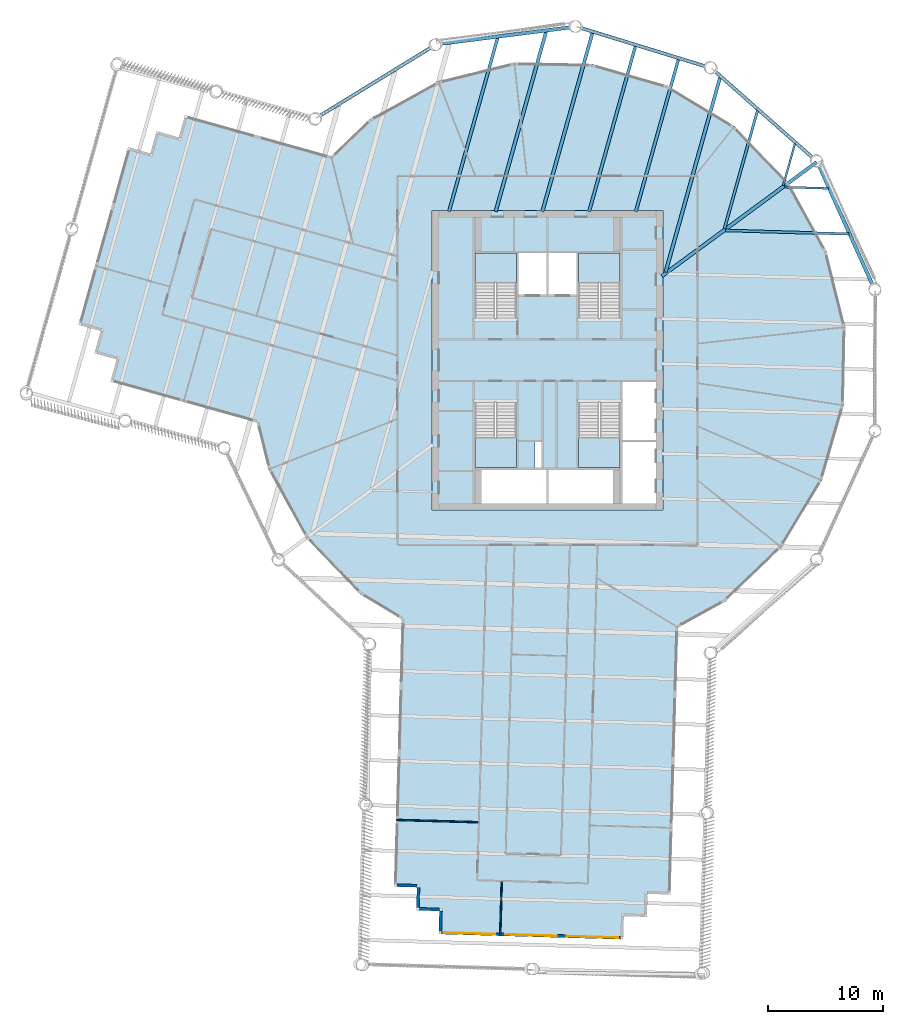
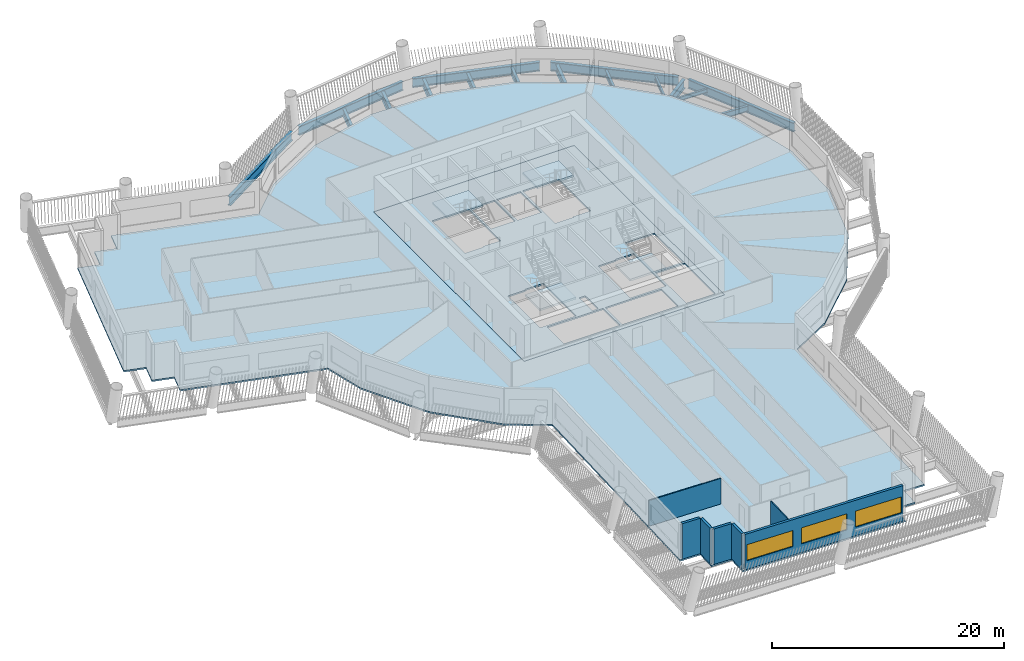
# One storey, part 2 of 15: 16 beams, 7 walls, 6 slabs, 3 windows, 3 openings, 4 elements without a shape of their own.
"""IFC4 building model written with IfcOpenShell, lengths in metres."""

from ifc_helpers import new_model, si_unit, direction, frame, frame_2d, origin, origin_2d, place, context, subcontext, project, spatial, polyline, rectangle, i_section, outline, extrude, material, layer, layer_set, material_profile, profile_set, type_object, element, fill, aggregate, save


model = new_model("IFC4")

# Units and contexts
model_context = context("Model", 3, precision=1e-05, world=origin(), true_north=direction((0.0, 1.0)))
body_context = subcontext(model_context, "Body", "Model", "MODEL_VIEW")
ifc_project = project(units=[si_unit("LENGTHUNIT", "METRE"), si_unit("AREAUNIT", "SQUARE_METRE"), si_unit("VOLUMEUNIT", "CUBIC_METRE"), si_unit("PLANEANGLEUNIT", "RADIAN"), si_unit("MASSUNIT", "GRAM", prefix="KILO")], contexts=[model_context])

# Site, building, storey
site_placement = place(None, origin())
site = spatial("IfcSite", under=ifc_project, at=site_placement, CompositionType="ELEMENT")
building_placement = place(site_placement, origin())
building = spatial("IfcBuilding", under=site, at=building_placement, Name="Tarsis Ring Headquarters", CompositionType="ELEMENT")
storey_placement = place(building_placement, frame((0.0, 0.0, 219.89990234375)))
storey = spatial("IfcBuildingStorey", under=building, at=storey_placement, Name="L51", CompositionType="ELEMENT", Elevation=219.89990234375)

# Beams
ifc_material_1 = material(Name="Structural steel S355", Category="steel")
ifc_material_profile_1 = material_profile(ifc_material_1, i_section(OverallWidth=0.177734375, OverallDepth=0.406494140625, WebThickness=0.0078125, FlangeThickness=0.0126953125, at=origin_2d()), Name="W16x40")
ifc_profile_set_1 = profile_set([ifc_material_profile_1], Name="Structural steel S355")
beam_type_1 = type_object("IfcBeamType", Name="FB Floor beam W16x40", PredefinedType="JOIST", material=ifc_profile_set_1)
for number, where, z_axis, x_axis, name in (
    (1, (20.556884765625, 15.017822265625, -0.363037109375), (0.999590515002, -0.02861472206, 0.0), (0.02861472206, 0.999590515002, 0.0), "Floor beam FB1"),
    (2, (21.47216796875, 18.83251953125, -0.363037109375), (-0.269598987848, -0.962972681726, 0.0), (0.962972681726, -0.269598987848, 0.0), "Floor beam FB1"),
):
    element("IfcBeam", number, at=place(storey_placement, frame(where, z_axis=z_axis, x_axis=x_axis)), inside=storey, type_object=beam_type_1, Name=name, PredefinedType="JOIST", context=body_context, shape_type="SweptSolid", body=[
        extrude(i_section(OverallWidth=0.177734375, OverallDepth=0.406494140625, WebThickness=0.0078125, FlangeThickness=0.0126953125, at=origin_2d()), origin(), (0.0, 0.0, 1.0), 3.80517578125),
    ])
ifc_material_profile_2 = material_profile(ifc_material_1, i_section(OverallWidth=0.228271484375, OverallDepth=0.607177734375, WebThickness=0.01123046875, FlangeThickness=0.017333984375, at=origin_2d()), Name="W24x76")
ifc_profile_set_2 = profile_set([ifc_material_profile_2], Name="Structural steel S355")
beam_type_2 = type_object("IfcBeamType", Name="FB Floor beam W24x76", PredefinedType="JOIST", material=ifc_profile_set_2)
for number, where, z_axis, x_axis, name in (
    (3, (15.45556640625, 11.26220703125, -0.46337890625), (0.999590724802, -0.02860739222, 0.0), (0.02860739222, 0.999590724802, 0.0), "Floor beam FB4"),
    (4, (18.225341796875, 21.701904296875, -0.46337890625), (-0.269574836137, -0.962979443042, 0.0), (0.962979443042, -0.269574836137, 0.0), "Floor beam FB4"),
):
    element("IfcBeam", number, at=place(storey_placement, frame(where, z_axis=z_axis, x_axis=x_axis)), inside=storey, type_object=beam_type_2, Name=name, PredefinedType="JOIST", context=body_context, shape_type="SweptSolid", body=[
        extrude(i_section(OverallWidth=0.228271484375, OverallDepth=0.607177734375, WebThickness=0.01123046875, FlangeThickness=0.017333984375, at=origin_2d()), origin(), (0.0, 0.0, 1.0), 10.684814453125),
    ])
ifc_material_profile_3 = material_profile(ifc_material_1, i_section(OverallWidth=0.2666015625, OverallDepth=0.7568359375, WebThickness=0.013916015625, FlangeThickness=0.019287109375, at=origin_2d()), Name="W30x108")
ifc_profile_set_3 = profile_set([ifc_material_profile_3], Name="Structural steel S355")
beam_type_3 = type_object("IfcBeamType", Name="FB Floor beam W30x108", PredefinedType="JOIST", material=ifc_profile_set_3)
beam_1_placement = place(storey_placement, frame((11.371337890625, 26.151611328125, -0.538330078125), z_axis=(-0.269602937232, -0.962971576027, 0.0), x_axis=(0.962971576027, -0.269602937232, 0.0)))
element("IfcBeam", 5, at=beam_1_placement, inside=storey, type_object=beam_type_3, Name="Floor beam FB6", PredefinedType="JOIST", context=body_context, shape_type="SweptSolid", body=[
    extrude(i_section(OverallWidth=0.2666015625, OverallDepth=0.7568359375, WebThickness=0.013916015625, FlangeThickness=0.019287109375, at=origin_2d()), origin(), (0.0, 0.0, 1.0), 13.75732421875),
])
beam_2_placement = place(storey_placement, frame((7.64306640625, 27.300537109375, -0.538330078125), z_axis=(-0.269594793667, -0.962973855942, 0.0), x_axis=(0.962973855942, -0.269594793667, 0.0)))
element("IfcBeam", 6, at=beam_2_placement, inside=storey, type_object=beam_type_3, Name="Floor beam FB6", PredefinedType="JOIST", context=body_context, shape_type="SweptSolid", body=[
    extrude(i_section(OverallWidth=0.2666015625, OverallDepth=0.7568359375, WebThickness=0.013916015625, FlangeThickness=0.019287109375, at=origin_2d()), origin(), (0.0, 0.0, 1.0), 14.9501953125),
])
beam_3_placement = place(storey_placement, frame((-4.30712890625, 28.013671875, -0.538330078125), z_axis=(-0.26959818322, -0.962972906994, 0.0), x_axis=(0.962972906994, -0.26959818322, 0.0)))
element("IfcBeam", 7, at=beam_3_placement, inside=storey, type_object=beam_type_3, Name="Floor beam FB6", PredefinedType="JOIST", context=body_context, shape_type="SweptSolid", body=[
    extrude(i_section(OverallWidth=0.2666015625, OverallDepth=0.7568359375, WebThickness=0.013916015625, FlangeThickness=0.019287109375, at=origin_2d()), origin(), (0.0, 0.0, 1.0), 15.69091796875),
])
ifc_material_profile_4 = material_profile(ifc_material_1, i_section(OverallWidth=0.2919921875, OverallDepth=0.835693359375, WebThickness=0.013916015625, FlangeThickness=0.018798828125, at=origin_2d()), Name="W33x118")
ifc_profile_set_4 = profile_set([ifc_material_profile_4], Name="Structural steel S355")
beam_type_4 = type_object("IfcBeamType", Name="FB Floor beam W33x118", PredefinedType="JOIST", material=ifc_profile_set_4)
beam_4_placement = place(storey_placement, frame((14.978759765625, 24.571044921875, -0.57763671875), z_axis=(-0.269589710269, -0.962975279079, 0.0), x_axis=(0.962975279079, -0.269589710269, 0.0)))
element("IfcBeam", 8, at=beam_4_placement, inside=storey, type_object=beam_type_4, Name="Floor beam FB7", PredefinedType="JOIST", context=body_context, shape_type="SweptSolid", body=[
    extrude(i_section(OverallWidth=0.2919921875, OverallDepth=0.835693359375, WebThickness=0.013916015625, FlangeThickness=0.018798828125, at=origin_2d()), origin(), (0.0, 0.0, 1.0), 17.564208984375),
])
beam_5_placement = place(storey_placement, frame((3.91455078125, 28.44921875, -0.57763671875), z_axis=(-0.269591779944, -0.962974699661, 0.0), x_axis=(0.962974699661, -0.269591779944, 0.0)))
element("IfcBeam", 9, at=beam_5_placement, inside=storey, type_object=beam_type_4, Name="Floor beam FB7", PredefinedType="JOIST", context=body_context, shape_type="SweptSolid", body=[
    extrude(i_section(OverallWidth=0.2919921875, OverallDepth=0.835693359375, WebThickness=0.013916015625, FlangeThickness=0.018798828125, at=origin_2d()), origin(), (0.0, 0.0, 1.0), 16.14306640625),
])
beam_6_placement = place(storey_placement, frame((-0.1083984375, 28.545166015625, -0.57763671875), z_axis=(-0.269591456408, -0.962974790237, 0.0), x_axis=(0.962974790237, -0.269591456408, 0.0)))
element("IfcBeam", 10, at=beam_6_placement, inside=storey, type_object=beam_type_4, Name="Floor beam FB7", PredefinedType="JOIST", context=body_context, shape_type="SweptSolid", body=[
    extrude(i_section(OverallWidth=0.2919921875, OverallDepth=0.835693359375, WebThickness=0.013916015625, FlangeThickness=0.018798828125, at=origin_2d()), origin(), (0.0, 0.0, 1.0), 16.24267578125),
])
ifc_material_profile_5 = material_profile(ifc_material_1, i_section(OverallWidth=0.309814453125, OverallDepth=0.949951171875, WebThickness=0.0244140625, FlangeThickness=0.0439453125, at=origin_2d()), Name="W36x256")
ifc_profile_set_5 = profile_set([ifc_material_profile_5], Name="Structural steel S355")
beam_type_5 = type_object("IfcBeamType", Name="FB Floor beam W36x256 spine", PredefinedType="BEAM", material=ifc_profile_set_5)
beam_7_placement = place(storey_placement, frame((23.345947265625, 17.18701171875, -0.635009765625), z_axis=(-0.805304938003, -0.592860824164, 0.0), x_axis=(0.592860824164, -0.805304938003, 0.0)))
element("IfcBeam", 11, at=beam_7_placement, inside=storey, type_object=beam_type_5, Name="Floor beam SB11", PredefinedType="BEAM", context=body_context, shape_type="SweptSolid", body=[
    extrude(i_section(OverallWidth=0.309814453125, OverallDepth=0.949951171875, WebThickness=0.0244140625, FlangeThickness=0.0439453125, at=origin_2d()), origin(), (0.0, 0.0, 1.0), 16.672607421875),
])
beam_type_6 = type_object("IfcBeamType", Name="XG Ring girder W36x256", PredefinedType="BEAM", material=ifc_profile_set_5)
for number, where, z_axis, x_axis, name in (
    (12, (28.215087890625, 6.486083984375, -0.474853515625), (-0.409743202177, 0.912200914421, 0.0), (-0.912200914421, -0.409743202177, 0.0), "Ring girder XG2"),
    (13, (23.033203125, 17.53955078125, -0.474853515625), (-0.749310617191, 0.662218694213, 0.0), (-0.662218694213, -0.749310617191, 0.0), "Ring girder XG2"),
):
    element("IfcBeam", number, at=place(storey_placement, frame(where, z_axis=z_axis, x_axis=x_axis)), inside=storey, type_object=beam_type_6, Name=name, PredefinedType="BEAM", context=body_context, shape_type="SweptSolid", body=[
        extrude(i_section(OverallWidth=0.309814453125, OverallDepth=0.949951171875, WebThickness=0.0244140625, FlangeThickness=0.0439453125, at=origin_2d()), origin(), (0.0, 0.0, 1.0), 11.288818359375),
    ])
for number, where, z_axis, x_axis, name in (
    (14, (13.755859375, 25.474365234375, -0.474853515625), (-0.955659220502, 0.294474878844, 0.0), (-0.294474878844, -0.955659220502, 0.0), "Ring girder XG2"),
    (15, (2.03271484375, 28.879638671875, -0.474853515625), (-0.992079652266, -0.125610364064, 0.0), (0.125610364064, -0.992079652266, 0.0), "Ring girder XG2"),
):
    element("IfcBeam", number, at=place(storey_placement, frame(where, z_axis=z_axis, x_axis=x_axis)), inside=storey, type_object=beam_type_6, Name=name, PredefinedType="BEAM", context=body_context, shape_type="SweptSolid", body=[
        extrude(i_section(OverallWidth=0.309814453125, OverallDepth=0.949951171875, WebThickness=0.0244140625, FlangeThickness=0.0439453125, at=origin_2d()), origin(), (0.0, 0.0, 1.0), 11.28857421875),
    ])
beam_8_placement = place(storey_placement, frame((-10.0517578125, 27.150146484375, -0.474853515625), z_axis=(-0.852109467494, -0.523363597709, 0.0), x_axis=(0.523363597709, -0.852109467494, 0.0)))
element("IfcBeam", 16, at=beam_8_placement, inside=storey, type_object=beam_type_6, Name="Ring girder XG2", PredefinedType="BEAM", context=body_context, shape_type="SweptSolid", body=[
    extrude(i_section(OverallWidth=0.309814453125, OverallDepth=0.949951171875, WebThickness=0.0244140625, FlangeThickness=0.0439453125, at=origin_2d()), origin(), (0.0, 0.0, 1.0), 11.288818359375),
])

# Slab
ifc_material_2 = material(Name="Concrete C40/50", Category="concrete")
ifc_layer_1 = layer(ifc_material_2, 0.159912109375)
ifc_layer_set_1 = layer_set([ifc_layer_1], Name="Core floor slab 160 C40/50")
slab_type_1 = type_object("IfcSlabType", Name="Core floor slab 160 C40/50", PredefinedType="FLOOR", material=ifc_layer_set_1)
slab_1_placement = place(storey_placement, frame((0.0, 0.0, -0.159912109375)))
element("IfcSlab", 17, at=slab_1_placement, inside=storey, type_object=slab_type_1, Name="L51 core floor slab", PredefinedType="FLOOR", context=body_context, shape_type="SweptSolid", body=[
    extrude(outline(polyline([(-10.0, -13.0), (10.0, -13.0), (10.0, 13.0), (-10.0, 13.0), (-10.0, -13.0)]), holes=[polyline([(-2.5, 5.699951171875), (-0.10009765625, 5.699951171875), (-0.10009765625, 9.300048828125), (-2.5, 9.300048828125), (-2.5, 5.699951171875)]), polyline([(0.10009765625, 5.699951171875), (2.5, 5.699951171875), (2.5, 9.300048828125), (0.10009765625, 9.300048828125), (0.10009765625, 5.699951171875)]), polyline([(6.5, -12.39990234375), (9.39990234375, -12.39990234375), (9.39990234375, -7.10009765625), (6.5, -7.10009765625), (6.5, -12.39990234375)]), polyline([(6.5, -6.89990234375), (9.39990234375, -6.89990234375), (9.39990234375, -1.89990234375), (6.5, -1.89990234375), (6.5, -6.89990234375)]), polyline([(-5.699951171875, -12.39990234375), (-0.10009765625, -12.39990234375), (-0.10009765625, -9.5), (-5.699951171875, -9.5), (-5.699951171875, -12.39990234375)]), polyline([(0.10009765625, -12.39990234375), (5.699951171875, -12.39990234375), (5.699951171875, -9.5), (0.10009765625, -9.5), (0.10009765625, -12.39990234375)]), polyline([(-1.10009765625, -9.300048828125), (-0.5, -9.300048828125), (-0.5, -7.10009765625), (-1.10009765625, -7.10009765625), (-1.10009765625, -9.300048828125)]), polyline([(-2.699951171875, 3.760009765625), (-2.699951171875, 9.300048828125), (-6.300048828125, 9.300048828125), (-6.300048828125, 3.659912109375), (-4.4599609375, 3.659912109375), (-4.4599609375, 3.760009765625), (-2.699951171875, 3.760009765625)]), polyline([(6.300048828125, 3.760009765625), (6.300048828125, 9.300048828125), (2.699951171875, 9.300048828125), (2.699951171875, 3.659912109375), (4.5400390625, 3.659912109375), (4.5400390625, 3.760009765625), (6.300048828125, 3.760009765625)]), polyline([(-6.300048828125, -3.760009765625), (-6.300048828125, -9.300048828125), (-2.699951171875, -9.300048828125), (-2.699951171875, -3.659912109375), (-4.5400390625, -3.659912109375), (-4.5400390625, -3.760009765625), (-6.300048828125, -3.760009765625)]), polyline([(2.699951171875, -3.760009765625), (2.699951171875, -9.300048828125), (6.300048828125, -9.300048828125), (6.300048828125, -3.659912109375), (4.4599609375, -3.659912109375), (4.4599609375, -3.760009765625), (2.699951171875, -3.760009765625)])]), origin(), (0.0, 0.0, 1.0), 0.159912109375),
])

# Stair, slab
ifc_material_3 = material(Name="Core stair 1760")
stair_type = type_object("IfcStairType", Name="Core stair 1760", PredefinedType="HALF_TURN_STAIR", material=ifc_material_3)
stair_1_placement = place(storey_placement, origin())
stair_1 = element("IfcStair", 18, at=stair_1_placement, inside=storey, type_object=stair_type, Name="L51 Firefighting stair", PredefinedType="HALF_TURN_STAIR")
ifc_layer_2 = layer(ifc_material_2, 0.199951171875)
ifc_layer_set_2 = layer_set([ifc_layer_2], Name="Core stair landing 200")
slab_type_2 = type_object("IfcSlabType", Name="Core stair landing 200", PredefinedType="LANDING", material=ifc_layer_set_2)
slab_2_placement = place(storey_placement, frame((0.0, 0.0, 1.75)))
slab_2 = element("IfcSlab", 19, at=slab_2_placement, type_object=slab_type_2, Name="Stair ST1 landing 1", PredefinedType="LANDING", context=body_context, shape_type="SweptSolid", body=[
    extrude(outline(polyline([(-2.699951171875, 6.739990234375), (-2.699951171875, 9.300048828125), (-6.300048828125, 9.300048828125), (-6.300048828125, 6.739990234375), (-2.699951171875, 6.739990234375)])), origin(), (0.0, 0.0, 1.0), 0.2001953125),
])
aggregate(stair_1, [slab_2])

stair_2_placement = place(storey_placement, origin())
stair_2 = element("IfcStair", 20, at=stair_2_placement, inside=storey, type_object=stair_type, Name="L51 Exit stair B", PredefinedType="HALF_TURN_STAIR")
slab_3_placement = place(storey_placement, frame((0.0, 0.0, 1.75)))
slab_3 = element("IfcSlab", 21, at=slab_3_placement, type_object=slab_type_2, Name="Stair ST2 landing 1", PredefinedType="LANDING", context=body_context, shape_type="SweptSolid", body=[
    extrude(outline(polyline([(6.300048828125, 6.739990234375), (6.300048828125, 9.300048828125), (2.699951171875, 9.300048828125), (2.699951171875, 6.739990234375), (6.300048828125, 6.739990234375)])), origin(), (0.0, 0.0, 1.0), 0.2001953125),
])
aggregate(stair_2, [slab_3])

stair_3_placement = place(storey_placement, origin())
stair_3 = element("IfcStair", 22, at=stair_3_placement, inside=storey, type_object=stair_type, Name="L51 Exit stair C", PredefinedType="HALF_TURN_STAIR")
slab_4_placement = place(storey_placement, frame((0.0, 0.0, 1.75)))
slab_4 = element("IfcSlab", 23, at=slab_4_placement, type_object=slab_type_2, Name="Stair ST3 landing 1", PredefinedType="LANDING", context=body_context, shape_type="SweptSolid", body=[
    extrude(outline(polyline([(-6.300048828125, -6.739990234375), (-6.300048828125, -9.300048828125), (-2.699951171875, -9.300048828125), (-2.699951171875, -6.739990234375), (-6.300048828125, -6.739990234375)])), origin(), (0.0, 0.0, 1.0), 0.2001953125),
])
aggregate(stair_3, [slab_4])

stair_4_placement = place(storey_placement, origin())
stair_4 = element("IfcStair", 24, at=stair_4_placement, inside=storey, type_object=stair_type, Name="L51 Exit stair D", PredefinedType="HALF_TURN_STAIR")
slab_5_placement = place(storey_placement, frame((0.0, 0.0, 1.75)))
slab_5 = element("IfcSlab", 25, at=slab_5_placement, type_object=slab_type_2, Name="Stair ST4 landing 1", PredefinedType="LANDING", context=body_context, shape_type="SweptSolid", body=[
    extrude(outline(polyline([(2.699951171875, -6.739990234375), (2.699951171875, -9.300048828125), (6.300048828125, -9.300048828125), (6.300048828125, -6.739990234375), (2.699951171875, -6.739990234375)])), origin(), (0.0, 0.0, 1.0), 0.2001953125),
])
aggregate(stair_4, [slab_5])

# Slab
ifc_material_4 = material(Name="Concrete C35/45", Category="concrete")
ifc_layer_3 = layer(ifc_material_4, 0.159912109375)
ifc_layer_set_3 = layer_set([ifc_layer_3], Name="FS Composite floor slab 160")
slab_type_3 = type_object("IfcSlabType", Name="FS Composite floor slab 160", PredefinedType="FLOOR", material=ifc_layer_set_3)
slab_6_placement = place(storey_placement, frame((0.0, 0.0, -0.159912109375)))
element("IfcSlab", 26, at=slab_6_placement, inside=storey, type_object=slab_type_3, Name="Floor slab L51", PredefinedType="FLOOR", context=body_context, shape_type="SweptSolid", body=[
    extrude(outline(polyline([(-25.2177734375, -5.4013671875), (-24.214111328125, -9.469970703125), (-20.93798828125, -15.414306640625), (-16.235107421875, -20.30810546875), (-12.6484375, -22.475341796875), (-13.3115234375, -45.6376953125), (-11.3125, -45.695068359375), (-11.36962890625, -47.694091796875), (-9.370361328125, -47.75146484375), (-9.427734375, -49.75048828125), (6.565673828125, -50.20849609375), (6.623046875, -48.209228515625), (8.6220703125, -48.2666015625), (8.679443359375, -46.267333984375), (10.678466796875, -46.32470703125), (11.341064453125, -23.182861328125), (15.414306640625, -20.93798828125), (20.30810546875, -16.235107421875), (23.818115234375, -10.42578125), (25.704833984375, -3.90576171875), (25.840087890625, 2.880126953125), (24.214111328125, 9.469970703125), (20.93798828125, 15.414306640625), (16.235107421875, 20.30810546875), (10.42578125, 23.818115234375), (3.90576171875, 25.704833984375), (-2.880126953125, 25.840087890625), (-9.469970703125, 24.214111328125), (-15.414306640625, 20.93798828125), (-18.767578125, 17.715576171875), (-31.431884765625, 21.260986328125), (-31.97119140625, 19.3349609375), (-33.897216796875, 19.874267578125), (-34.436279296875, 17.9482421875), (-36.3623046875, 18.487548828125), (-40.67578125, 3.079833984375), (-38.749755859375, 2.540771484375), (-39.2890625, 0.61474609375), (-37.363037109375, 0.07568359375), (-37.902099609375, -1.850341796875), (-25.2177734375, -5.4013671875)]), holes=[polyline([(-10.0, -13.0), (-10.0, 13.0), (10.0, 13.0), (10.0, -13.0), (-10.0, -13.0)])]), origin(), (0.0, 0.0, 1.0), 0.159912109375),
])

# Walls
ifc_material_5 = material(Name="Gypsum board on steel studs", Category="steel")
ifc_layer_4 = layer(ifc_material_5, 0.10009765625)
ifc_layer_set_4 = layer_set([ifc_layer_4], Name="FL partition 100 unrated")
wall_type_1 = type_object("IfcWallType", Name="FL partition 100 unrated", PredefinedType="PARTITIONING", material=ifc_layer_set_4)
wall_1_placement = place(storey_placement, frame((-13.095947265625, -39.8515625, 0.0), z_axis=(0.0, 0.0, 1.0), x_axis=(0.999590340764, -0.028620808018, 0.0)))
element("IfcWall", 27, at=wall_1_placement, inside=storey, type_object=wall_type_1, Name="Partition PW3", PredefinedType="PARTITIONING", context=body_context, shape_type="SweptSolid", body=[
    extrude(rectangle(XDim=7.080078125, YDim=0.10009765625, at=frame_2d((3.5400390625, 0.0))), origin(), (0.0, 0.0, 1.0), 2.7001953125),
])
wall_2_placement = place(storey_placement, frame((-4.098388671875, -49.85302734375, 0.0), z_axis=(0.0, 0.0, 1.0), x_axis=(0.02857179115, 0.999591743038, 0.0)))
element("IfcWall", 28, at=wall_2_placement, inside=storey, type_object=wall_type_1, Name="Partition PW3", PredefinedType="PARTITIONING", context=body_context, shape_type="SweptSolid", body=[
    extrude(rectangle(XDim=4.639892578125, YDim=0.10009765625, at=frame_2d((2.31982421875, 0.0))), origin(), (0.0, 0.0, 1.0), 2.7001953125),
])
ifc_material_6 = material(Name="Terracotta clad insulated panel wall", Category="masonry")
ifc_layer_5 = layer(ifc_material_6, 0.25)
ifc_layer_set_5 = layer_set([ifc_layer_5], Name="Facade wall terracotta panel 250")
wall_type_2 = type_object("IfcWallType", Name="Facade wall terracotta panel 250", PredefinedType="STANDARD", material=ifc_layer_set_5)
for number, where, z_axis, x_axis, name in (
    (29, (-13.05810546875, -45.52001953125, 0.0), (0.0, 0.0, 1.0), (0.999590947737, -0.028599601436, 0.0), "External wall L51-07"),
    (30, (-11.1875, -45.698486328125, 0.0), (0.0, 0.0, 1.0), (-0.028599601436, -0.999590947737, 0.0), "External wall L51-08"),
    (31, (-11.1162109375, -47.576416015625, 0.0), (0.0, 0.0, 1.0), (0.999590947737, -0.028599601436, 0.0), "External wall L51-09"),
    (32, (-9.24560546875, -47.7548828125, 0.0), (0.0, 0.0, 1.0), (-0.028599601436, -0.999590947737, 0.0), "External wall L51-10"),
):
    element("IfcWall", number, at=place(storey_placement, frame(where, z_axis=z_axis, x_axis=x_axis)), inside=storey, type_object=wall_type_2, Name=name, PredefinedType="STANDARD", context=body_context, shape_type="SweptSolid", body=[
        extrude(rectangle(XDim=1.75, YDim=0.25, at=frame_2d((0.875, 0.0))), origin(), (0.0, 0.0, 1.0), 3.739990234375),
    ])

# Wall, openings, windows
wall_3_placement = place(storey_placement, frame((-9.17431640625, -49.6328125, 0.0), z_axis=(0.0, 0.0, 1.0), x_axis=(0.999590375957, -0.028619578852, 0.0)))
wall_3 = element("IfcWall", 33, at=wall_3_placement, inside=storey, type_object=wall_type_2, Name="External wall L51-11", PredefinedType="STANDARD", context=body_context, shape_type="SweptSolid", body=[
    extrude(rectangle(XDim=15.5, YDim=0.25, at=frame_2d((7.75, 0.0))), origin(), (0.0, 0.0, 1.0), 3.739990234375),
])
opening_1_placement = place(wall_3_placement, frame((0.166748046875, 0.0, 0.89990234375)))
opening_1 = element("IfcOpeningElement", 34, at=opening_1_placement, cuts=wall_3, Name="Opening WN04", PredefinedType="OPENING", context=body_context, shape_type="SweptSolid", body=[
    extrude(rectangle(XDim=4.5, YDim=1.699951171875, at=frame_2d((2.25, 0.85009765625))), frame((0.0, 0.135009765625, 0.0), z_axis=(0.0, -1.0, 0.0), x_axis=(1.0, 0.0, 0.0)), (0.0, 0.0, 1.0), 0.27001953125),
])
opening_2_placement = place(wall_3_placement, frame((5.5, 0.0, 0.89990234375)))
opening_2 = element("IfcOpeningElement", 35, at=opening_2_placement, cuts=wall_3, Name="Opening WN04", PredefinedType="OPENING", context=body_context, shape_type="SweptSolid", body=[
    extrude(rectangle(XDim=4.5, YDim=1.699951171875, at=frame_2d((2.25, 0.85009765625))), frame((0.0, 0.135009765625, 0.0), z_axis=(0.0, -1.0, 0.0), x_axis=(1.0, 0.0, 0.0)), (0.0, 0.0, 1.0), 0.27001953125),
])
opening_3_placement = place(wall_3_placement, frame((10.833251953125, 0.0, 0.89990234375)))
opening_3 = element("IfcOpeningElement", 36, at=opening_3_placement, cuts=wall_3, Name="Opening WN04", PredefinedType="OPENING", context=body_context, shape_type="SweptSolid", body=[
    extrude(rectangle(XDim=4.5, YDim=1.699951171875, at=frame_2d((2.25, 0.85009765625))), frame((0.0, 0.135009765625, 0.0), z_axis=(0.0, -1.0, 0.0), x_axis=(1.0, 0.0, 0.0)), (0.0, 0.0, 1.0), 0.27001953125),
])
ifc_material_7 = material(Name="Aluminium framed double glazing", Category="aluminium")
window_type = type_object("IfcWindowType", Name="Facade window 4500 x 1700", PartitioningType="SINGLE_PANEL", PredefinedType="WINDOW", material=ifc_material_7)
window_1_placement = place(opening_1_placement, origin())
window_1 = element("IfcWindow", 37, at=window_1_placement, inside=storey, type_object=window_type, Name="Window L51-11.1", OverallHeight=1.699951171875, OverallWidth=4.5, PartitioningType="SINGLE_PANEL", PredefinedType="WINDOW", context=body_context, shape_type="SweptSolid", body=[
    extrude(rectangle(XDim=4.5, YDim=1.699951171875, at=frame_2d((2.25, 0.85009765625))), frame((0.0, 0.030029296875, 0.0), z_axis=(0.0, -1.0, 0.0), x_axis=(1.0, 0.0, 0.0)), (0.0, 0.0, 1.0), 0.06005859375),
])
fill(opening_1, window_1)
window_2_placement = place(opening_2_placement, origin())
window_2 = element("IfcWindow", 38, at=window_2_placement, inside=storey, type_object=window_type, Name="Window L51-11.2", OverallHeight=1.699951171875, OverallWidth=4.5, PartitioningType="SINGLE_PANEL", PredefinedType="WINDOW", context=body_context, shape_type="SweptSolid", body=[
    extrude(rectangle(XDim=4.5, YDim=1.699951171875, at=frame_2d((2.25, 0.85009765625))), frame((0.0, 0.030029296875, 0.0), z_axis=(0.0, -1.0, 0.0), x_axis=(1.0, 0.0, 0.0)), (0.0, 0.0, 1.0), 0.06005859375),
])
fill(opening_2, window_2)
window_3_placement = place(opening_3_placement, origin())
window_3 = element("IfcWindow", 39, at=window_3_placement, inside=storey, type_object=window_type, Name="Window L51-11.3", OverallHeight=1.699951171875, OverallWidth=4.5, PartitioningType="SINGLE_PANEL", PredefinedType="WINDOW", context=body_context, shape_type="SweptSolid", body=[
    extrude(rectangle(XDim=4.5, YDim=1.699951171875, at=frame_2d((2.25, 0.85009765625))), frame((0.0, 0.030029296875, 0.0), z_axis=(0.0, -1.0, 0.0), x_axis=(1.0, 0.0, 0.0)), (0.0, 0.0, 1.0), 0.06005859375),
])
fill(opening_3, window_3)

save(model, "model.ifc")
